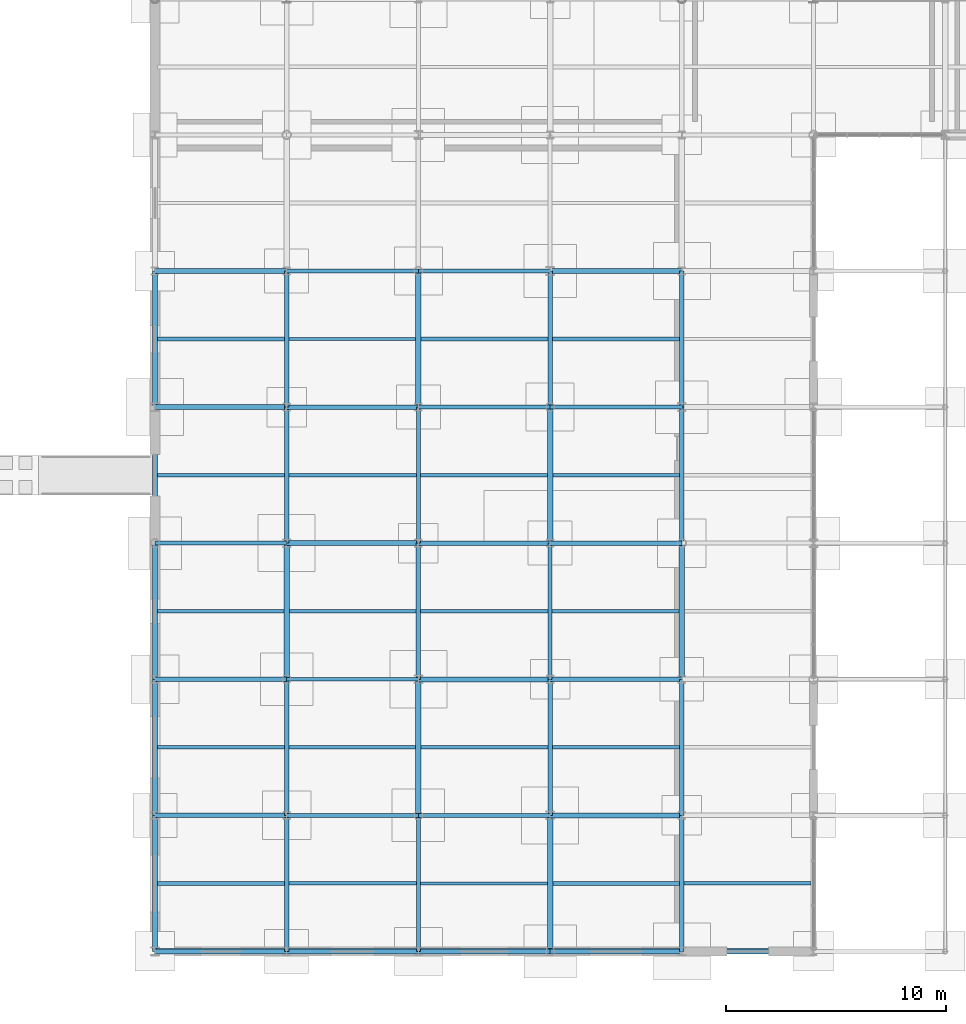
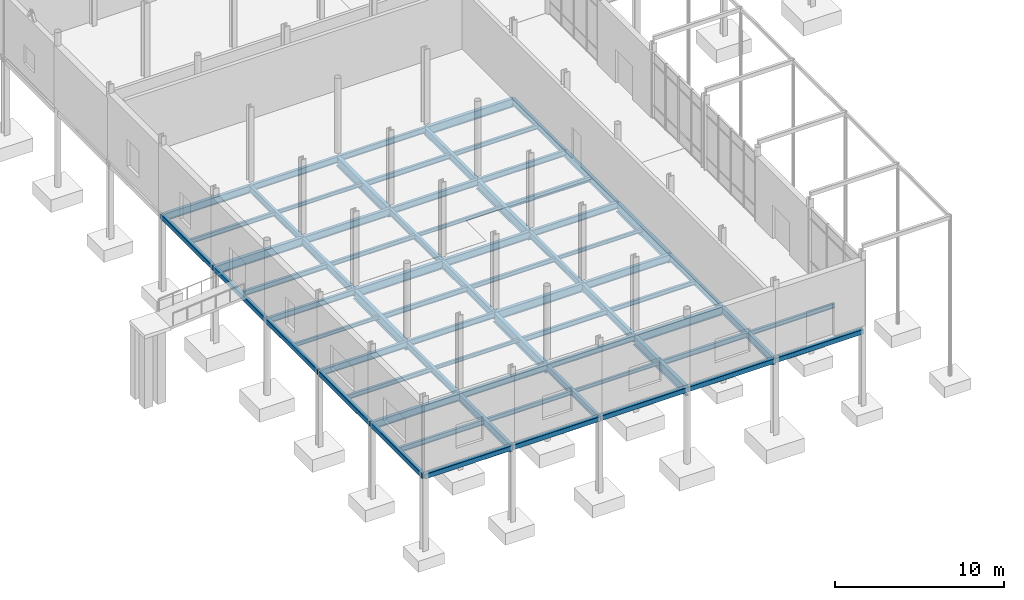
# One storey, part 28 of 98: 71 beams.
"""IFC4 building model written with IfcOpenShell, lengths in metres."""

import ifcopenshell
import ifcopenshell.guid

model = None  # the IFC model being written
_history = None  # IfcOwnerHistory: only IFC2X3 demands one
_inside = {}  # id of a spatial element -> (the spatial element, [elements in it])
_under = {}  # id of a project, library or spatial element -> (it, [spatial elements below it])
_declared = {}  # id of a project -> (the project, [libraries it declares])
_typed = {}  # id of a type object -> (the type object, [elements of that type])
_made_of = {}  # id of a material, layer set ... -> (it, [elements and type objects made of it])


def new_model(schema):
    """Start an empty IFC model of exactly this schema.

    Asked for "IFC4X3", IfcOpenShell would pick the latest addendum, in which some entities
    have other attributes; the version numbers below select the first issue.
    IFC2X3 requires an IfcOwnerHistory on every rooted entity: one is made here for all.
    """
    global model, _history
    if schema == "IFC4X3":
        model = ifcopenshell.file(schema_version=(4, 3, 0, 0))
    else:
        model = ifcopenshell.file(schema=schema)
    _inside.clear()
    _under.clear()
    _declared.clear()
    _typed.clear()
    _made_of.clear()
    _history = None
    if model.schema == "IFC2X3":
        org = make("IfcOrganization", Name="unknown")
        user = make(
            "IfcPersonAndOrganization",
            ThePerson=make("IfcPerson", FamilyName="unknown"),
            TheOrganization=org,
        )
        app = make(
            "IfcApplication",
            ApplicationDeveloper=org,
            Version="unknown",
            ApplicationFullName="unknown",
            ApplicationIdentifier="unknown",
        )
        _history = make(
            "IfcOwnerHistory",
            OwningUser=user,
            OwningApplication=app,
            ChangeAction="ADDED",
            CreationDate=0,
        )
    return model


def make(cls, **values):
    """One entity of the class cls with the attributes given. An attribute that is None is left unset."""
    return model.create_entity(
        cls, **{name: value for name, value in values.items() if value is not None}
    )


def rooted(cls, **values):
    """An entity with a GlobalId (a new one), such as an element, a storey or a relation."""
    return make(cls, GlobalId=ifcopenshell.guid.new(), OwnerHistory=_history, **values)


def si_unit(unit_type, name, prefix=None):
    """IfcSIUnit, for example si_unit("LENGTHUNIT", "METRE", prefix="MILLI")."""
    return make("IfcSIUnit", UnitType=unit_type, Prefix=prefix, Name=name)


def assignment(units):
    """IfcUnitAssignment: the units of a project."""
    return None if units is None else make("IfcUnitAssignment", Units=units)


def point(xyz):
    """IfcCartesianPoint."""
    return None if xyz is None else make("IfcCartesianPoint", Coordinates=xyz)


def direction(xyz):
    """IfcDirection."""
    return None if xyz is None else make("IfcDirection", DirectionRatios=xyz)


def frame(location, z_axis=None, x_axis=None):
    """IfcAxis2Placement3D, a coordinate frame: its origin and axes. An axis left out is left unset."""
    return make(
        "IfcAxis2Placement3D",
        Location=point(location),
        Axis=direction(z_axis),
        RefDirection=direction(x_axis),
    )


def frame_2d(location, x_axis=None):
    """IfcAxis2Placement2D, a coordinate frame in the plane: its origin and x axis."""
    return make(
        "IfcAxis2Placement2D", Location=point(location), RefDirection=direction(x_axis)
    )


def origin():
    """The frame at (0, 0, 0) with its axes left unset."""
    return frame((0.0, 0.0, 0.0))


def origin_2d():
    """The frame at (0, 0) in the plane with its x axis left unset."""
    return frame_2d((0.0, 0.0))


def place(relative_to, where):
    """IfcLocalPlacement: puts the frame where relative to a parent placement (None: the world)."""
    return make(
        "IfcLocalPlacement", PlacementRelTo=relative_to, RelativePlacement=where
    )


def context(
    kind, dimensions, precision=None, world=None, true_north=None, identifier=None
):
    """IfcGeometricRepresentationContext, for example the 3D "Model" context."""
    return make(
        "IfcGeometricRepresentationContext",
        ContextIdentifier=identifier,
        ContextType=kind,
        CoordinateSpaceDimension=dimensions,
        Precision=precision,
        WorldCoordinateSystem=world,
        TrueNorth=true_north,
    )


def subcontext(parent, identifier, kind, view, scale=None):
    """IfcGeometricRepresentationSubContext, for example "Body" below "Model"."""
    return make(
        "IfcGeometricRepresentationSubContext",
        ContextIdentifier=identifier,
        ContextType=kind,
        ParentContext=parent,
        TargetScale=scale,
        TargetView=view,
    )


def project(units=None, contexts=None):
    """IfcProject with its units and contexts."""
    return rooted(
        "IfcProject",
        Name="project",
        RepresentationContexts=contexts,
        UnitsInContext=assignment(units),
    )


def spatial(cls, under=None, at=None, **own):
    """A site, building, storey or space (cls), placed at a placement, below another one or the project."""
    s = rooted(cls, ObjectPlacement=at, **own)
    if under is not None:
        _under.setdefault(under.id(), (under, []))[1].append(s)
    return s


def profile(cls, at=None, kind="AREA", **sizes):
    """A parametric profile (cls). Its sizes go by their IFC names, for example OverallWidth=200.0."""
    return make(cls, ProfileType=kind, Position=at, **sizes)


def hollow_rectangle(**sizes):
    """IfcRectangleHollowProfileDef."""
    return profile("IfcRectangleHollowProfileDef", **sizes)


def i_section(**sizes):
    """IfcIShapeProfileDef."""
    return profile("IfcIShapeProfileDef", **sizes)


def extrude(swept, where, along, depth):
    """IfcExtrudedAreaSolid: the profile swept, set in the frame where, extruded along a direction by depth."""
    return make(
        "IfcExtrudedAreaSolid",
        SweptArea=swept,
        Position=where,
        ExtrudedDirection=direction(along),
        Depth=depth,
    )


def shape(context_of_items, identifier, shape_type, items):
    """IfcShapeRepresentation: the items that make up one representation, for example the "Body"."""
    return make(
        "IfcShapeRepresentation",
        ContextOfItems=context_of_items,
        RepresentationIdentifier=identifier,
        RepresentationType=shape_type,
        Items=items,
    )


def material(Name=None, Category=None):
    """IfcMaterial."""
    return make("IfcMaterial", Name=Name, Category=Category)


def material_profile(
    of_material, cross_section, Name=None, Category=None, Priority=None
):
    """IfcMaterialProfile: a cross section and its material."""
    return make(
        "IfcMaterialProfile",
        Name=Name,
        Material=of_material,
        Profile=cross_section,
        Priority=Priority,
        Category=Category,
    )


def profile_set(profiles, Name=None, composite=None):
    """IfcMaterialProfileSet."""
    return make(
        "IfcMaterialProfileSet",
        Name=Name,
        MaterialProfiles=profiles,
        CompositeProfile=composite,
    )


def made_of(thing, what):
    """Note that an element or type object is made of a material, layer set ...; save() writes the relation."""
    if what is not None:
        _made_of.setdefault(what.id(), (what, []))[1].append(thing)
    return thing


def type_object(cls, material=None, **own):
    """A type object (cls), such as IfcWallType, which elements share."""
    return made_of(rooted(cls, **own), material)


def element(
    cls,
    number,
    at=None,
    inside=None,
    cuts=None,
    type_object=None,
    material=None,
    context=None,
    identifier="Body",
    shape_type=None,
    held_by="IfcProductDefinitionShape",
    body=None,
    shapes=None,
    **own,
):
    """One element of the class cls, such as IfcWall. Its Tag is "e" and its number.

    at: its placement. inside: the storey or other place that contains it. cuts: it is an
    opening in that element (IfcRelVoidsElement). A single representation is given by context,
    identifier, shape_type and body (its items); several are given by shapes. held_by: the class
    of the entity that holds the representations. save() writes the other relations.
    """
    e = rooted(cls, Tag="e%d" % number, ObjectPlacement=at, **own)
    if body is not None:
        shapes = [shape(context, identifier, shape_type, body)]
    if shapes is not None:
        e.Representation = make(held_by, Representations=shapes)
    if inside is not None:
        _inside.setdefault(inside.id(), (inside, []))[1].append(e)
    if cuts is not None:
        rooted(
            "IfcRelVoidsElement", RelatingBuildingElement=cuts, RelatedOpeningElement=e
        )
    if type_object is not None:
        _typed.setdefault(type_object.id(), (type_object, []))[1].append(e)
    return made_of(e, material)


def aggregate(whole, parts):
    """IfcRelAggregates: a whole, such as a stair, and the parts it consists of."""
    return rooted("IfcRelAggregates", RelatingObject=whole, RelatedObjects=parts)


def save(model, path):
    """Write the relations noted so far, then the file.

    IfcRelAggregates (storeys below a building ...), IfcRelContainedInSpatialStructure (elements
    in a storey), IfcRelDefinesByType, IfcRelAssociatesMaterial and IfcRelDeclares: one each for
    every whole, place, type object, material and project.
    """
    for whole, parts in _under.values():
        aggregate(whole, parts)
    for where, things in _inside.values():
        rooted(
            "IfcRelContainedInSpatialStructure",
            RelatedElements=things,
            RelatingStructure=where,
        )
    for kind, things in _typed.values():
        rooted("IfcRelDefinesByType", RelatedObjects=things, RelatingType=kind)
    for what, things in _made_of.values():
        rooted("IfcRelAssociatesMaterial", RelatedObjects=things, RelatingMaterial=what)
    for by, libraries in _declared.values():
        rooted("IfcRelDeclares", RelatingContext=by, RelatedDefinitions=libraries)
    model.write(path)


model = new_model("IFC4")

# Units and contexts
model_context = context("Model", 3, precision=1e-05, world=origin(), true_north=direction((0.0, 1.0)))
body_context = subcontext(model_context, "Body", "Model", "MODEL_VIEW")
ifc_project = project(units=[si_unit("LENGTHUNIT", "METRE"), si_unit("AREAUNIT", "SQUARE_METRE"), si_unit("VOLUMEUNIT", "CUBIC_METRE"), si_unit("PLANEANGLEUNIT", "RADIAN"), si_unit("MASSUNIT", "GRAM", prefix="KILO")], contexts=[model_context])

# Site, building, storey
site_placement = place(None, origin())
site = spatial("IfcSite", under=ifc_project, at=site_placement, CompositionType="ELEMENT")
building_placement = place(site_placement, origin())
building = spatial("IfcBuilding", under=site, at=building_placement, Name="Mirzam Square Science Centre", CompositionType="ELEMENT")
storey_placement = place(building_placement, origin())
storey = spatial("IfcBuildingStorey", under=building, at=storey_placement, Name="L00", CompositionType="ELEMENT", Elevation=0.0)

# Beams
ifc_material = material(Name="Steel S355", Category="steel")
ifc_material_profile_1 = material_profile(ifc_material, i_section(OverallWidth=0.1787109375, OverallDepth=0.409423828125, WebThickness=0.0087890625, FlangeThickness=0.014404296875, FilletRadius=0.01025390625, at=origin_2d()), Name="406x178x67UB")
ifc_profile_set_1 = profile_set([ifc_material_profile_1], Name="Steel S355")
beam_type_1 = type_object("IfcBeamType", Name="BM-UB406", PredefinedType="BEAM", material=ifc_profile_set_1)
for number, where, z_axis, x_axis, name in (
    (1, (12.0, 6.199951171875, -0.504638671875), (1.0, 0.0, 0.0), (0.0, 1.0, 0.0), "L00 girder X3-2"),
    (2, (6.0, 12.39990234375, -0.504638671875), (1.0, 0.0, 0.0), (0.0, 1.0, 0.0), "L00 girder X2-3"),
    (3, (0.0, 18.60009765625, -0.504638671875), (1.0, 0.0, 0.0), (0.0, 1.0, 0.0), "L00 girder X1-4"),
    (4, (18.0, 24.800048828125, -0.504638671875), (1.0, 0.0, 0.0), (0.0, 1.0, 0.0), "L00 girder X4-5"),
    (5, (12.0, 31.0, -0.504638671875), (1.0, 0.0, 0.0), (0.0, 1.0, 0.0), "L00 girder X3-6"),
):
    element("IfcBeam", number, at=place(storey_placement, frame(where, z_axis=z_axis, x_axis=x_axis)), inside=storey, type_object=beam_type_1, Name=name, PredefinedType="BEAM", context=body_context, shape_type="SweptSolid", body=[
        extrude(i_section(OverallWidth=0.1787109375, OverallDepth=0.409423828125, WebThickness=0.0087890625, FlangeThickness=0.014404296875, FilletRadius=0.01025390625, at=origin_2d()), origin(), (0.0, 0.0, 1.0), 6.0),
    ])
ifc_material_profile_2 = material_profile(ifc_material, i_section(OverallWidth=0.19140625, OverallDepth=0.4599609375, WebThickness=0.010009765625, FlangeThickness=0.01611328125, FilletRadius=0.01025390625, at=origin_2d()), Name="457x191x82UB")
ifc_profile_set_2 = profile_set([ifc_material_profile_2], Name="Steel S355")
beam_type_2 = type_object("IfcBeamType", Name="BM-UB457", PredefinedType="BEAM", material=ifc_profile_set_2)
for number, where, z_axis, x_axis, name in (
    (6, (6.0, 6.199951171875, -0.530029296875), (1.0, 0.0, 0.0), (0.0, 1.0, 0.0), "L00 girder X2-2"),
    (7, (0.0, 12.39990234375, -0.530029296875), (1.0, 0.0, 0.0), (0.0, 1.0, 0.0), "L00 girder X1-3"),
    (8, (18.0, 18.60009765625, -0.530029296875), (1.0, 0.0, 0.0), (0.0, 1.0, 0.0), "L00 girder X4-4"),
    (9, (12.0, 24.800048828125, -0.530029296875), (1.0, 0.0, 0.0), (0.0, 1.0, 0.0), "L00 girder X3-5"),
    (10, (6.0, 31.0, -0.530029296875), (1.0, 0.0, 0.0), (0.0, 1.0, 0.0), "L00 girder X2-6"),
):
    element("IfcBeam", number, at=place(storey_placement, frame(where, z_axis=z_axis, x_axis=x_axis)), inside=storey, type_object=beam_type_2, Name=name, PredefinedType="BEAM", context=body_context, shape_type="SweptSolid", body=[
        extrude(i_section(OverallWidth=0.19140625, OverallDepth=0.4599609375, WebThickness=0.010009765625, FlangeThickness=0.01611328125, FilletRadius=0.01025390625, at=origin_2d()), origin(), (0.0, 0.0, 1.0), 6.0),
    ])
for number, where, z_axis, x_axis, name in (
    (11, (6.0, 6.199951171875, -0.530029296875), (0.0, 1.0, 0.0), (-1.0, 0.0, 0.0), "L00 girder Y2-2"),
    (12, (6.0, 24.800048828125, -0.530029296875), (0.0, 1.0, 0.0), (-1.0, 0.0, 0.0), "L00 girder Y2-5"),
    (13, (12.0, 0.0, -0.530029296875), (0.0, 1.0, 0.0), (-1.0, 0.0, 0.0), "L00 girder Y3-1"),
    (14, (12.0, 18.60009765625, -0.530029296875), (0.0, 1.0, 0.0), (-1.0, 0.0, 0.0), "L00 girder Y3-4"),
):
    element("IfcBeam", number, at=place(storey_placement, frame(where, z_axis=z_axis, x_axis=x_axis)), inside=storey, type_object=beam_type_2, Name=name, PredefinedType="BEAM", context=body_context, shape_type="SweptSolid", body=[
        extrude(i_section(OverallWidth=0.19140625, OverallDepth=0.4599609375, WebThickness=0.010009765625, FlangeThickness=0.01611328125, FilletRadius=0.01025390625, at=origin_2d()), origin(), (0.0, 0.0, 1.0), 6.199951171875),
    ])
beam_1_placement = place(storey_placement, frame((18.0, 12.39990234375, -0.530029296875), z_axis=(0.0, 1.0, 0.0), x_axis=(-1.0, 0.0, 0.0)))
element("IfcBeam", 15, at=beam_1_placement, inside=storey, type_object=beam_type_2, Name="L00 girder Y4-3", PredefinedType="BEAM", context=body_context, shape_type="SweptSolid", body=[
    extrude(i_section(OverallWidth=0.19140625, OverallDepth=0.4599609375, WebThickness=0.010009765625, FlangeThickness=0.01611328125, FilletRadius=0.01025390625, at=origin_2d()), origin(), (0.0, 0.0, 1.0), 6.2001953125),
])
for number, where, z_axis, x_axis, name in (
    (16, (24.0, 6.199951171875, -0.530029296875), (0.0, 1.0, 0.0), (-1.0, 0.0, 0.0), "L00 girder Y5-2"),
    (17, (24.0, 24.800048828125, -0.530029296875), (0.0, 1.0, 0.0), (-1.0, 0.0, 0.0), "L00 girder Y5-5"),
):
    element("IfcBeam", number, at=place(storey_placement, frame(where, z_axis=z_axis, x_axis=x_axis)), inside=storey, type_object=beam_type_2, Name=name, PredefinedType="BEAM", context=body_context, shape_type="SweptSolid", body=[
        extrude(i_section(OverallWidth=0.19140625, OverallDepth=0.4599609375, WebThickness=0.010009765625, FlangeThickness=0.01611328125, FilletRadius=0.01025390625, at=origin_2d()), origin(), (0.0, 0.0, 1.0), 6.199951171875),
    ])
ifc_material_profile_3 = material_profile(ifc_material, i_section(OverallWidth=0.2099609375, OverallDepth=0.53662109375, WebThickness=0.0107421875, FlangeThickness=0.017333984375, FilletRadius=0.0126953125, at=origin_2d()), Name="533x210x101UB")
ifc_profile_set_3 = profile_set([ifc_material_profile_3], Name="Steel S355")
beam_type_3 = type_object("IfcBeamType", Name="BM-UB533", PredefinedType="BEAM", material=ifc_profile_set_3)
for number, where, z_axis, x_axis, name in (
    (18, (0.0, 6.199951171875, -0.568359375), (1.0, 0.0, 0.0), (0.0, 1.0, 0.0), "L00 girder X1-2"),
    (19, (18.0, 12.39990234375, -0.568359375), (1.0, 0.0, 0.0), (0.0, 1.0, 0.0), "L00 girder X4-3"),
    (20, (12.0, 18.60009765625, -0.568359375), (1.0, 0.0, 0.0), (0.0, 1.0, 0.0), "L00 girder X3-4"),
    (21, (6.0, 24.800048828125, -0.568359375), (1.0, 0.0, 0.0), (0.0, 1.0, 0.0), "L00 girder X2-5"),
    (22, (0.0, 31.0, -0.568359375), (1.0, 0.0, 0.0), (0.0, 1.0, 0.0), "L00 girder X1-6"),
):
    element("IfcBeam", number, at=place(storey_placement, frame(where, z_axis=z_axis, x_axis=x_axis)), inside=storey, type_object=beam_type_3, Name=name, PredefinedType="BEAM", context=body_context, shape_type="SweptSolid", body=[
        extrude(i_section(OverallWidth=0.2099609375, OverallDepth=0.53662109375, WebThickness=0.0107421875, FlangeThickness=0.017333984375, FilletRadius=0.0126953125, at=origin_2d()), origin(), (0.0, 0.0, 1.0), 6.0),
    ])
for number, where, z_axis, x_axis, name in (
    (23, (6.0, 0.0, -0.568359375), (0.0, 1.0, 0.0), (-1.0, 0.0, 0.0), "L00 girder Y2-1"),
    (24, (6.0, 18.60009765625, -0.568359375), (0.0, 1.0, 0.0), (-1.0, 0.0, 0.0), "L00 girder Y2-4"),
):
    element("IfcBeam", number, at=place(storey_placement, frame(where, z_axis=z_axis, x_axis=x_axis)), inside=storey, type_object=beam_type_3, Name=name, PredefinedType="BEAM", context=body_context, shape_type="SweptSolid", body=[
        extrude(i_section(OverallWidth=0.2099609375, OverallDepth=0.53662109375, WebThickness=0.0107421875, FlangeThickness=0.017333984375, FilletRadius=0.0126953125, at=origin_2d()), origin(), (0.0, 0.0, 1.0), 6.199951171875),
    ])
beam_2_placement = place(storey_placement, frame((12.0, 12.39990234375, -0.568359375), z_axis=(0.0, 1.0, 0.0), x_axis=(-1.0, 0.0, 0.0)))
element("IfcBeam", 25, at=beam_2_placement, inside=storey, type_object=beam_type_3, Name="L00 girder Y3-3", PredefinedType="BEAM", context=body_context, shape_type="SweptSolid", body=[
    extrude(i_section(OverallWidth=0.2099609375, OverallDepth=0.53662109375, WebThickness=0.0107421875, FlangeThickness=0.017333984375, FilletRadius=0.0126953125, at=origin_2d()), origin(), (0.0, 0.0, 1.0), 6.2001953125),
])
for number, where, z_axis, x_axis, name in (
    (26, (18.0, 6.199951171875, -0.568359375), (0.0, 1.0, 0.0), (-1.0, 0.0, 0.0), "L00 girder Y4-2"),
    (27, (18.0, 24.800048828125, -0.568359375), (0.0, 1.0, 0.0), (-1.0, 0.0, 0.0), "L00 girder Y4-5"),
    (28, (24.0, 0.0, -0.568359375), (0.0, 1.0, 0.0), (-1.0, 0.0, 0.0), "L00 girder Y5-1"),
    (29, (24.0, 18.60009765625, -0.568359375), (0.0, 1.0, 0.0), (-1.0, 0.0, 0.0), "L00 girder Y5-4"),
):
    element("IfcBeam", number, at=place(storey_placement, frame(where, z_axis=z_axis, x_axis=x_axis)), inside=storey, type_object=beam_type_3, Name=name, PredefinedType="BEAM", context=body_context, shape_type="SweptSolid", body=[
        extrude(i_section(OverallWidth=0.2099609375, OverallDepth=0.53662109375, WebThickness=0.0107421875, FlangeThickness=0.017333984375, FilletRadius=0.0126953125, at=origin_2d()), origin(), (0.0, 0.0, 1.0), 6.199951171875),
    ])
ifc_material_profile_4 = material_profile(ifc_material, i_section(OverallWidth=0.22900390625, OverallDepth=0.6123046875, WebThickness=0.011962890625, FlangeThickness=0.01953125, FilletRadius=0.0126953125, at=origin_2d()), Name="610x229x125UB")
ifc_profile_set_4 = profile_set([ifc_material_profile_4], Name="Steel S355")
beam_type_4 = type_object("IfcBeamType", Name="BM-UB610", PredefinedType="BEAM", material=ifc_profile_set_4)
for number, where, z_axis, x_axis, name in (
    (30, (18.0, 6.199951171875, -0.606201171875), (1.0, 0.0, 0.0), (0.0, 1.0, 0.0), "L00 girder X4-2"),
    (31, (12.0, 12.39990234375, -0.606201171875), (1.0, 0.0, 0.0), (0.0, 1.0, 0.0), "L00 girder X3-3"),
    (32, (6.0, 18.60009765625, -0.606201171875), (1.0, 0.0, 0.0), (0.0, 1.0, 0.0), "L00 girder X2-4"),
    (33, (0.0, 24.800048828125, -0.606201171875), (1.0, 0.0, 0.0), (0.0, 1.0, 0.0), "L00 girder X1-5"),
    (34, (18.0, 31.0, -0.606201171875), (1.0, 0.0, 0.0), (0.0, 1.0, 0.0), "L00 girder X4-6"),
):
    element("IfcBeam", number, at=place(storey_placement, frame(where, z_axis=z_axis, x_axis=x_axis)), inside=storey, type_object=beam_type_4, Name=name, PredefinedType="BEAM", context=body_context, shape_type="SweptSolid", body=[
        extrude(i_section(OverallWidth=0.22900390625, OverallDepth=0.6123046875, WebThickness=0.011962890625, FlangeThickness=0.01953125, FilletRadius=0.0126953125, at=origin_2d()), origin(), (0.0, 0.0, 1.0), 6.0),
    ])
ifc_material_profile_5 = material_profile(ifc_material, i_section(OverallWidth=0.25439453125, OverallDepth=0.6875, WebThickness=0.01318359375, FlangeThickness=0.02099609375, FilletRadius=0.01513671875, at=origin_2d()), Name="686x254x152UB")
ifc_profile_set_5 = profile_set([ifc_material_profile_5], Name="Steel S355")
beam_type_5 = type_object("IfcBeamType", Name="BM-UB686", PredefinedType="BEAM", material=ifc_profile_set_5)
beam_3_placement = place(storey_placement, frame((6.0, 12.39990234375, -0.643798828125), z_axis=(0.0, 1.0, 0.0), x_axis=(-1.0, 0.0, 0.0)))
element("IfcBeam", 35, at=beam_3_placement, inside=storey, type_object=beam_type_5, Name="L00 girder Y2-3", PredefinedType="BEAM", context=body_context, shape_type="SweptSolid", body=[
    extrude(i_section(OverallWidth=0.25439453125, OverallDepth=0.6875, WebThickness=0.01318359375, FlangeThickness=0.02099609375, FilletRadius=0.01513671875, at=origin_2d()), origin(), (0.0, 0.0, 1.0), 6.2001953125),
])
for number, where, z_axis, x_axis, name in (
    (36, (12.0, 6.199951171875, -0.643798828125), (0.0, 1.0, 0.0), (-1.0, 0.0, 0.0), "L00 girder Y3-2"),
    (37, (12.0, 24.800048828125, -0.643798828125), (0.0, 1.0, 0.0), (-1.0, 0.0, 0.0), "L00 girder Y3-5"),
    (38, (18.0, 0.0, -0.643798828125), (0.0, 1.0, 0.0), (-1.0, 0.0, 0.0), "L00 girder Y4-1"),
    (39, (18.0, 18.60009765625, -0.643798828125), (0.0, 1.0, 0.0), (-1.0, 0.0, 0.0), "L00 girder Y4-4"),
):
    element("IfcBeam", number, at=place(storey_placement, frame(where, z_axis=z_axis, x_axis=x_axis)), inside=storey, type_object=beam_type_5, Name=name, PredefinedType="BEAM", context=body_context, shape_type="SweptSolid", body=[
        extrude(i_section(OverallWidth=0.25439453125, OverallDepth=0.6875, WebThickness=0.01318359375, FlangeThickness=0.02099609375, FilletRadius=0.01513671875, at=origin_2d()), origin(), (0.0, 0.0, 1.0), 6.199951171875),
    ])
beam_4_placement = place(storey_placement, frame((24.0, 12.39990234375, -0.643798828125), z_axis=(0.0, 1.0, 0.0), x_axis=(-1.0, 0.0, 0.0)))
element("IfcBeam", 40, at=beam_4_placement, inside=storey, type_object=beam_type_5, Name="L00 girder Y5-3", PredefinedType="BEAM", context=body_context, shape_type="SweptSolid", body=[
    extrude(i_section(OverallWidth=0.25439453125, OverallDepth=0.6875, WebThickness=0.01318359375, FlangeThickness=0.02099609375, FilletRadius=0.01513671875, at=origin_2d()), origin(), (0.0, 0.0, 1.0), 6.2001953125),
])
ifc_material_profile_6 = material_profile(ifc_material, i_section(OverallWidth=0.146484375, OverallDepth=0.256103515625, WebThickness=0.00634765625, FlangeThickness=0.010986328125, FilletRadius=0.007568359375, at=origin_2d()), Name="254x146x37UB")
ifc_profile_set_6 = profile_set([ifc_material_profile_6], Name="Steel S355")
beam_type_6 = type_object("IfcBeamType", Name="JS-UB254", PredefinedType="JOIST", material=ifc_profile_set_6)
beam_5_placement = place(storey_placement, frame((0.125, 15.5, -0.427978515625), z_axis=(1.0, 0.0, 0.0), x_axis=(0.0, 1.0, 0.0)))
element("IfcBeam", 41, at=beam_5_placement, inside=storey, type_object=beam_type_6, Name="L00 composite joist 1-3", PredefinedType="JOIST", context=body_context, shape_type="SweptSolid", body=[
    extrude(i_section(OverallWidth=0.146484375, OverallDepth=0.256103515625, WebThickness=0.00634765625, FlangeThickness=0.010986328125, FilletRadius=0.007568359375, at=origin_2d()), origin(), (0.0, 0.0, 1.0), 5.747802734375),
])
for number, where, z_axis, x_axis, name in (
    (42, (6.095703125, 9.300048828125, -0.427978515625), (1.0, 0.0, 0.0), (0.0, 1.0, 0.0), "L00 composite joist 2-2"),
    (43, (6.095703125, 27.89990234375, -0.427978515625), (1.0, 0.0, 0.0), (0.0, 1.0, 0.0), "L00 composite joist 2-5"),
    (44, (12.095703125, 3.10009765625, -0.427978515625), (1.0, 0.0, 0.0), (0.0, 1.0, 0.0), "L00 composite joist 3-1"),
    (45, (12.095703125, 21.699951171875, -0.427978515625), (1.0, 0.0, 0.0), (0.0, 1.0, 0.0), "L00 composite joist 3-4"),
    (46, (18.095703125, 15.5, -0.427978515625), (1.0, 0.0, 0.0), (0.0, 1.0, 0.0), "L00 composite joist 4-3"),
):
    element("IfcBeam", number, at=place(storey_placement, frame(where, z_axis=z_axis, x_axis=x_axis)), inside=storey, type_object=beam_type_6, Name=name, PredefinedType="JOIST", context=body_context, shape_type="SweptSolid", body=[
        extrude(i_section(OverallWidth=0.146484375, OverallDepth=0.256103515625, WebThickness=0.00634765625, FlangeThickness=0.010986328125, FilletRadius=0.007568359375, at=origin_2d()), origin(), (0.0, 0.0, 1.0), 5.777099609375),
    ])
ifc_material_profile_7 = material_profile(ifc_material, i_section(OverallWidth=0.165771484375, OverallDepth=0.306640625, WebThickness=0.006591796875, FlangeThickness=0.01171875, FilletRadius=0.0087890625, at=origin_2d()), Name="305x165x46UB")
ifc_profile_set_7 = profile_set([ifc_material_profile_7], Name="Steel S355")
beam_type_7 = type_object("IfcBeamType", Name="JS-UB305", PredefinedType="JOIST", material=ifc_profile_set_7)
for number, where, z_axis, x_axis, name in (
    (47, (0.125, 9.300048828125, -0.453369140625), (1.0, 0.0, 0.0), (0.0, 1.0, 0.0), "L00 composite joist 1-2"),
    (48, (0.125, 27.89990234375, -0.453369140625), (1.0, 0.0, 0.0), (0.0, 1.0, 0.0), "L00 composite joist 1-5"),
):
    element("IfcBeam", number, at=place(storey_placement, frame(where, z_axis=z_axis, x_axis=x_axis)), inside=storey, type_object=beam_type_7, Name=name, PredefinedType="JOIST", context=body_context, shape_type="SweptSolid", body=[
        extrude(i_section(OverallWidth=0.165771484375, OverallDepth=0.306640625, WebThickness=0.006591796875, FlangeThickness=0.01171875, FilletRadius=0.0087890625, at=origin_2d()), origin(), (0.0, 0.0, 1.0), 5.779296875),
    ])
for number, where, z_axis, x_axis, name in (
    (49, (6.10498046875, 3.10009765625, -0.453369140625), (1.0, 0.0, 0.0), (0.0, 1.0, 0.0), "L00 composite joist 2-1"),
    (50, (6.10498046875, 21.699951171875, -0.453369140625), (1.0, 0.0, 0.0), (0.0, 1.0, 0.0), "L00 composite joist 2-4"),
    (51, (12.10498046875, 15.5, -0.453369140625), (1.0, 0.0, 0.0), (0.0, 1.0, 0.0), "L00 composite joist 3-3"),
    (52, (18.10498046875, 9.300048828125, -0.453369140625), (1.0, 0.0, 0.0), (0.0, 1.0, 0.0), "L00 composite joist 4-2"),
    (53, (18.10498046875, 27.89990234375, -0.453369140625), (1.0, 0.0, 0.0), (0.0, 1.0, 0.0), "L00 composite joist 4-5"),
):
    element("IfcBeam", number, at=place(storey_placement, frame(where, z_axis=z_axis, x_axis=x_axis)), inside=storey, type_object=beam_type_7, Name=name, PredefinedType="JOIST", context=body_context, shape_type="SweptSolid", body=[
        extrude(i_section(OverallWidth=0.165771484375, OverallDepth=0.306640625, WebThickness=0.006591796875, FlangeThickness=0.01171875, FilletRadius=0.0087890625, at=origin_2d()), origin(), (0.0, 0.0, 1.0), 5.79931640625),
    ])
beam_6_placement = place(storey_placement, frame((24.10498046875, 3.10009765625, -0.453369140625), z_axis=(1.0, 0.0, 0.0), x_axis=(0.0, 1.0, 0.0)))
element("IfcBeam", 54, at=beam_6_placement, inside=storey, type_object=beam_type_7, Name="L00 composite joist 5-1", PredefinedType="JOIST", context=body_context, shape_type="SweptSolid", body=[
    extrude(i_section(OverallWidth=0.165771484375, OverallDepth=0.306640625, WebThickness=0.006591796875, FlangeThickness=0.01171875, FilletRadius=0.0087890625, at=origin_2d()), origin(), (0.0, 0.0, 1.0), 5.77001953125),
])
ifc_material_profile_8 = material_profile(ifc_material, i_section(OverallWidth=0.172119140625, OverallDepth=0.35791015625, WebThickness=0.008056640625, FlangeThickness=0.012939453125, FilletRadius=0.01025390625, at=origin_2d()), Name="356x171x57UB")
ifc_profile_set_8 = profile_set([ifc_material_profile_8], Name="Steel S355")
beam_type_8 = type_object("IfcBeamType", Name="JS-UB356", PredefinedType="JOIST", material=ifc_profile_set_8)
for number, where, z_axis, x_axis, name in (
    (55, (0.125, 3.10009765625, -0.47900390625), (1.0, 0.0, 0.0), (0.0, 1.0, 0.0), "L00 composite joist 1-1"),
    (56, (0.125, 21.699951171875, -0.47900390625), (1.0, 0.0, 0.0), (0.0, 1.0, 0.0), "L00 composite joist 1-4"),
):
    element("IfcBeam", number, at=place(storey_placement, frame(where, z_axis=z_axis, x_axis=x_axis)), inside=storey, type_object=beam_type_8, Name=name, PredefinedType="JOIST", context=body_context, shape_type="SweptSolid", body=[
        extrude(i_section(OverallWidth=0.172119140625, OverallDepth=0.35791015625, WebThickness=0.008056640625, FlangeThickness=0.012939453125, FilletRadius=0.01025390625, at=origin_2d()), origin(), (0.0, 0.0, 1.0), 5.77001953125),
    ])
for number, where, z_axis, x_axis, name in (
    (57, (6.127197265625, 15.5, -0.47900390625), (1.0, 0.0, 0.0), (0.0, 1.0, 0.0), "L00 composite joist 2-3"),
    (58, (12.127197265625, 9.300048828125, -0.47900390625), (1.0, 0.0, 0.0), (0.0, 1.0, 0.0), "L00 composite joist 3-2"),
    (59, (12.127197265625, 27.89990234375, -0.47900390625), (1.0, 0.0, 0.0), (0.0, 1.0, 0.0), "L00 composite joist 3-5"),
    (60, (18.127197265625, 3.10009765625, -0.47900390625), (1.0, 0.0, 0.0), (0.0, 1.0, 0.0), "L00 composite joist 4-1"),
    (61, (18.127197265625, 21.699951171875, -0.47900390625), (1.0, 0.0, 0.0), (0.0, 1.0, 0.0), "L00 composite joist 4-4"),
):
    element("IfcBeam", number, at=place(storey_placement, frame(where, z_axis=z_axis, x_axis=x_axis)), inside=storey, type_object=beam_type_8, Name=name, PredefinedType="JOIST", context=body_context, shape_type="SweptSolid", body=[
        extrude(i_section(OverallWidth=0.172119140625, OverallDepth=0.35791015625, WebThickness=0.008056640625, FlangeThickness=0.012939453125, FilletRadius=0.01025390625, at=origin_2d()), origin(), (0.0, 0.0, 1.0), 5.767822265625),
    ])
ifc_material_profile_9 = material_profile(ifc_material, hollow_rectangle(XDim=0.25, YDim=0.35009765625, WallThickness=0.012451171875, InnerFilletRadius=0.012451171875, OuterFilletRadius=0.02490234375, at=origin_2d()), Name="350x250x12.5RHS")
ifc_profile_set_9 = profile_set([ifc_material_profile_9], Name="Steel S355")
beam_type_9 = type_object("IfcBeamType", Name="SP-RHS350", PredefinedType="SPANDREL", material=ifc_profile_set_9)
for number, where, z_axis, x_axis, name in (
    (62, (0.0, 0.0, -0.47509765625), (1.0, 0.0, 0.0), (0.0, 1.0, 0.0), "L00 girder X1-1"),
    (63, (6.0, 0.0, -0.47509765625), (1.0, 0.0, 0.0), (0.0, 1.0, 0.0), "L00 girder X2-1"),
    (64, (12.0, 0.0, -0.47509765625), (1.0, 0.0, 0.0), (0.0, 1.0, 0.0), "L00 girder X3-1"),
    (65, (18.0, 0.0, -0.47509765625), (1.0, 0.0, 0.0), (0.0, 1.0, 0.0), "L00 girder X4-1"),
    (66, (24.0, 0.0, -0.47509765625), (1.0, 0.0, 0.0), (0.0, 1.0, 0.0), "L00 girder X5-1"),
):
    element("IfcBeam", number, at=place(storey_placement, frame(where, z_axis=z_axis, x_axis=x_axis)), inside=storey, type_object=beam_type_9, Name=name, PredefinedType="SPANDREL", context=body_context, shape_type="SweptSolid", body=[
        extrude(hollow_rectangle(XDim=0.25, YDim=0.35009765625, WallThickness=0.012451171875, InnerFilletRadius=0.012451171875, OuterFilletRadius=0.02490234375, at=origin_2d()), origin(), (0.0, 0.0, 1.0), 6.0),
    ])
for number, where, z_axis, x_axis, name in (
    (67, (0.0, 0.0, -0.47509765625), (0.0, 1.0, 0.0), (-1.0, 0.0, 0.0), "L00 girder Y1-1"),
    (68, (0.0, 6.199951171875, -0.47509765625), (0.0, 1.0, 0.0), (-1.0, 0.0, 0.0), "L00 girder Y1-2"),
):
    element("IfcBeam", number, at=place(storey_placement, frame(where, z_axis=z_axis, x_axis=x_axis)), inside=storey, type_object=beam_type_9, Name=name, PredefinedType="SPANDREL", context=body_context, shape_type="SweptSolid", body=[
        extrude(hollow_rectangle(XDim=0.25, YDim=0.35009765625, WallThickness=0.012451171875, InnerFilletRadius=0.012451171875, OuterFilletRadius=0.02490234375, at=origin_2d()), origin(), (0.0, 0.0, 1.0), 6.199951171875),
    ])
beam_7_placement = place(storey_placement, frame((0.0, 12.39990234375, -0.47509765625), z_axis=(0.0, 1.0, 0.0), x_axis=(-1.0, 0.0, 0.0)))
element("IfcBeam", 69, at=beam_7_placement, inside=storey, type_object=beam_type_9, Name="L00 girder Y1-3", PredefinedType="SPANDREL", context=body_context, shape_type="SweptSolid", body=[
    extrude(hollow_rectangle(XDim=0.25, YDim=0.35009765625, WallThickness=0.012451171875, InnerFilletRadius=0.012451171875, OuterFilletRadius=0.02490234375, at=origin_2d()), origin(), (0.0, 0.0, 1.0), 6.2001953125),
])
for number, where, z_axis, x_axis, name in (
    (70, (0.0, 18.60009765625, -0.47509765625), (0.0, 1.0, 0.0), (-1.0, 0.0, 0.0), "L00 girder Y1-4"),
    (71, (0.0, 24.800048828125, -0.47509765625), (0.0, 1.0, 0.0), (-1.0, 0.0, 0.0), "L00 girder Y1-5"),
):
    element("IfcBeam", number, at=place(storey_placement, frame(where, z_axis=z_axis, x_axis=x_axis)), inside=storey, type_object=beam_type_9, Name=name, PredefinedType="SPANDREL", context=body_context, shape_type="SweptSolid", body=[
        extrude(hollow_rectangle(XDim=0.25, YDim=0.35009765625, WallThickness=0.012451171875, InnerFilletRadius=0.012451171875, OuterFilletRadius=0.02490234375, at=origin_2d()), origin(), (0.0, 0.0, 1.0), 6.199951171875),
    ])

save(model, "model.ifc")
